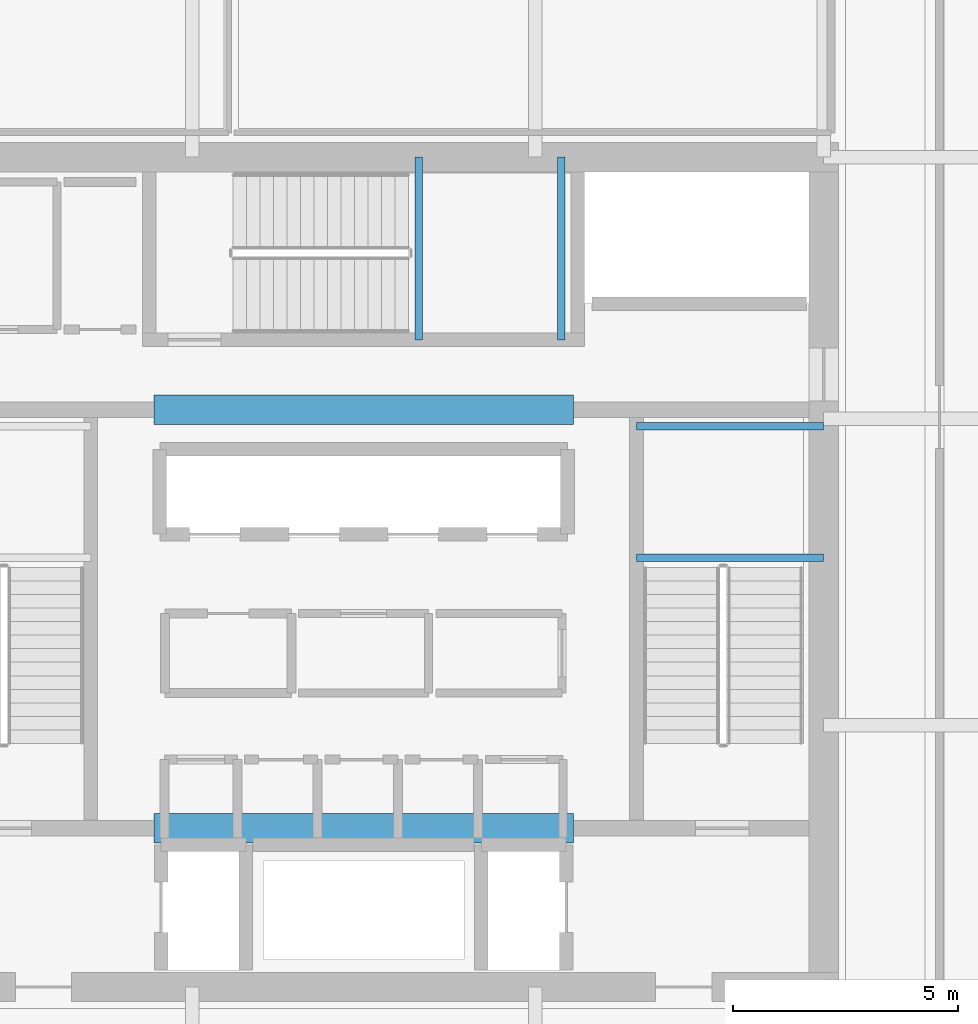
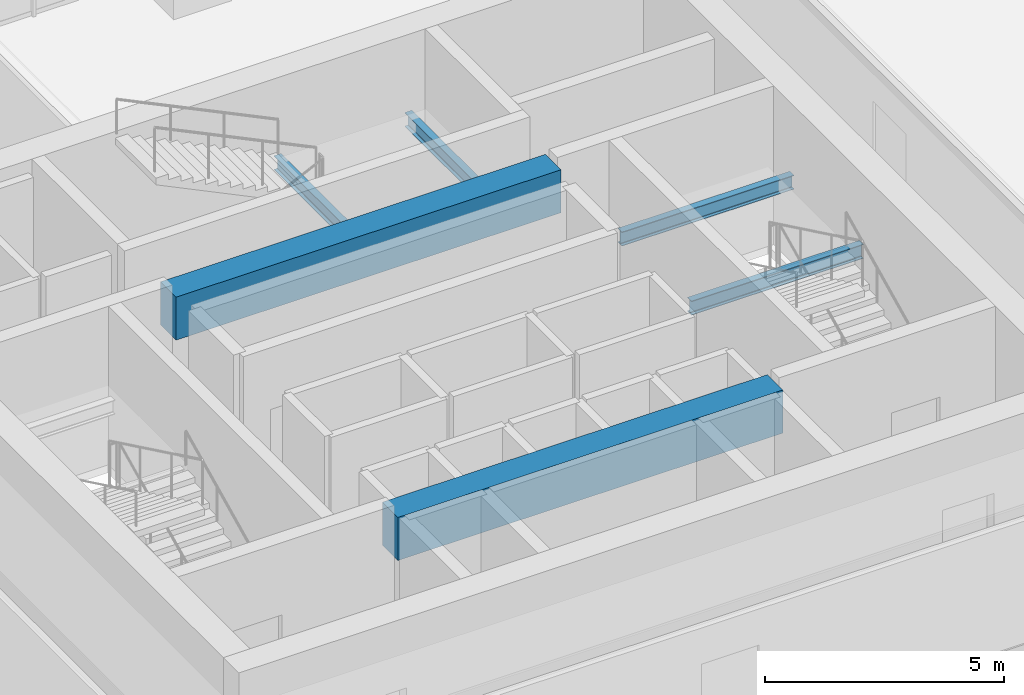
# One storey, part 12 of 36: 6 beams.
"""IFC4 building model written with IfcOpenShell, lengths in metres."""

from ifc_helpers import new_model, si_unit, direction, frame, origin, origin_2d, place, context, subcontext, project, spatial, rectangle, i_section, extrude, material, material_profile, profile_set, type_object, element, save


model = new_model("IFC4")

# Units and contexts
model_context = context("Model", 3, precision=1e-05, world=origin(), true_north=direction((0.0, 1.0)))
body_context = subcontext(model_context, "Body", "Model", "MODEL_VIEW")
ifc_project = project(units=[si_unit("LENGTHUNIT", "METRE"), si_unit("AREAUNIT", "SQUARE_METRE"), si_unit("VOLUMEUNIT", "CUBIC_METRE"), si_unit("PLANEANGLEUNIT", "RADIAN"), si_unit("MASSUNIT", "GRAM", prefix="KILO")], contexts=[model_context])

# Site, building, storey
site_placement = place(None, origin())
site = spatial("IfcSite", under=ifc_project, at=site_placement, CompositionType="ELEMENT")
building_placement = place(site_placement, origin())
building = spatial("IfcBuilding", under=site, at=building_placement, Name="Punatoya Terracotta Tower", CompositionType="ELEMENT")
storey_placement = place(building_placement, frame((0.0, 0.0, 212.699951171875)))
storey = spatial("IfcBuildingStorey", under=building, at=storey_placement, Name="L50", CompositionType="ELEMENT", Elevation=212.699951171875)

# Beams
ifc_material_1 = material(Name="Concrete C60/75", Category="concrete")
ifc_material_profile_1 = material_profile(ifc_material_1, rectangle(XDim=0.64990234375, YDim=1.10009765625, at=origin_2d()))
ifc_profile_set_1 = profile_set([ifc_material_profile_1], Name="Concrete C60/75")
beam_type_1 = type_object("IfcBeamType", Name="BM-RC-1100", PredefinedType="LINTEL", material=ifc_profile_set_1)
for number, where, z_axis, x_axis, name in (
    (1, (-4.64990234375, -5.679931640625, 3.280029296875), (1.0, 0.0, 0.0), (0.0, 1.0, 0.0), "L50 Core Coupling Lintel CSW"),
    (2, (-4.64990234375, 3.60009765625, 3.280029296875), (1.0, 0.0, 0.0), (0.0, 1.0, 0.0), "L50 Core Coupling Lintel CNW"),
):
    element("IfcBeam", number, at=place(storey_placement, frame(where, z_axis=z_axis, x_axis=x_axis)), inside=storey, type_object=beam_type_1, Name=name, PredefinedType="LINTEL", context=body_context, shape_type="SweptSolid", body=[
        extrude(rectangle(XDim=0.64990234375, YDim=1.10009765625, at=origin_2d()), origin(), (0.0, 0.0, 1.0), 9.2998046875),
    ])
ifc_material_2 = material(Name="Steel S355", Category="steel")
ifc_material_profile_2 = material_profile(ifc_material_2, i_section(OverallWidth=0.169921875, OverallDepth=0.360107421875, WebThickness=0.008056640625, FlangeThickness=0.0126953125, FilletRadius=0.01806640625, at=origin_2d()))
ifc_profile_set_2 = profile_set([ifc_material_profile_2], Name="Steel S355")
beam_type_2 = type_object("IfcBeamType", Name="BM-SEC-360", PredefinedType="JOIST", material=ifc_profile_set_2)
for number, where, z_axis, x_axis, name in (
    (3, (6.050048828125, 0.320068359375, 1.64501953125), (1.0, 0.0, 0.0), (0.0, 1.0, 0.0), "BM-L50-ST-2-LD1A"),
    (4, (6.050048828125, 3.22998046875, 1.64501953125), (1.0, 0.0, 0.0), (0.0, 1.0, 0.0), "BM-L50-ST-2-LD1B"),
):
    element("IfcBeam", number, at=place(storey_placement, frame(where, z_axis=z_axis, x_axis=x_axis)), inside=storey, type_object=beam_type_2, Name=name, PredefinedType="JOIST", context=body_context, shape_type="SweptSolid", body=[
        extrude(i_section(OverallWidth=0.169921875, OverallDepth=0.360107421875, WebThickness=0.008056640625, FlangeThickness=0.0126953125, FilletRadius=0.01806640625, at=origin_2d()), origin(), (0.0, 0.0, 1.0), 4.14990234375),
    ])
for number, where, z_axis, x_axis, name in (
    (5, (1.219970703125, 5.14990234375, 1.64501953125), (0.0, 1.0, 0.0), (-1.0, 0.0, 0.0), "BM-L50-ST-3-LD1A"),
    (6, (4.3798828125, 5.14990234375, 1.64501953125), (0.0, 1.0, 0.0), (-1.0, 0.0, 0.0), "BM-L50-ST-3-LD1B"),
):
    element("IfcBeam", number, at=place(storey_placement, frame(where, z_axis=z_axis, x_axis=x_axis)), inside=storey, type_object=beam_type_2, Name=name, PredefinedType="JOIST", context=body_context, shape_type="SweptSolid", body=[
        extrude(i_section(OverallWidth=0.169921875, OverallDepth=0.360107421875, WebThickness=0.008056640625, FlangeThickness=0.0126953125, FilletRadius=0.01806640625, at=origin_2d()), origin(), (0.0, 0.0, 1.0), 4.050048828125),
    ])

save(model, "model.ifc")
